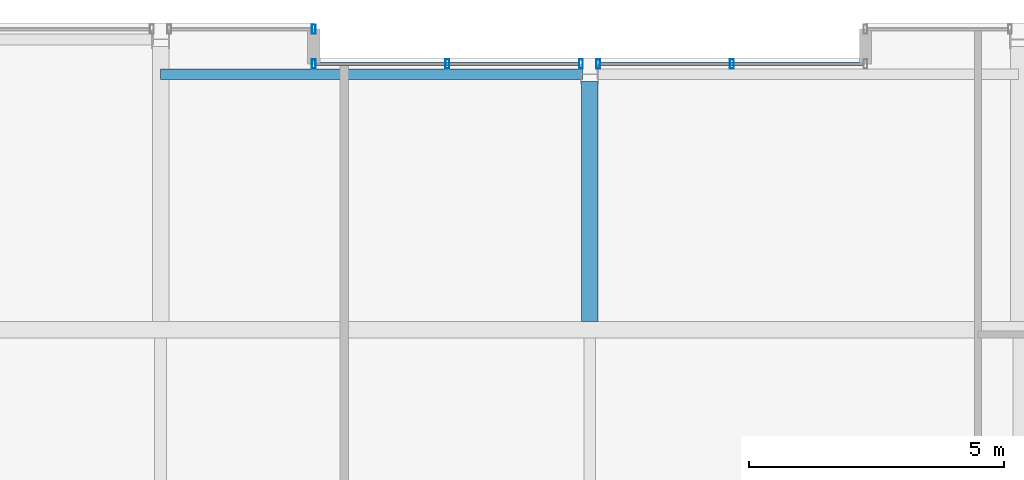
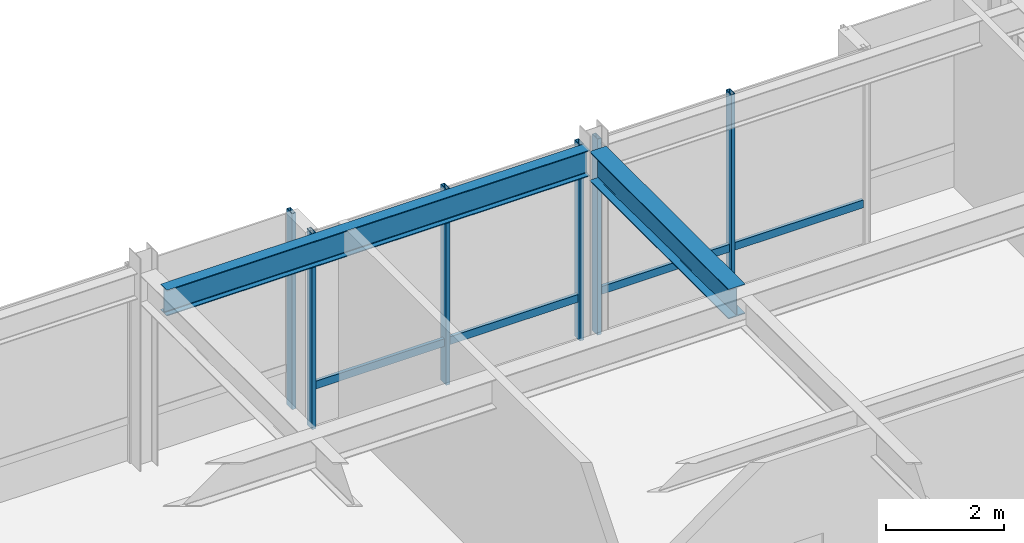
# One storey, part 24 of 33: 8 members, 2 beams, 3 elements without a shape of their own.
"""IFC4 building model written with IfcOpenShell, lengths in metres."""

from ifc_helpers import new_model, si_unit, direction, frame, origin, origin_2d, place, context, subcontext, project, spatial, hollow_rectangle, i_section, extrude, material, layer, layer_set, material_profile, profile_set, type_object, element, aggregate, save


model = new_model("IFC4")

# Units and contexts
model_context = context("Model", 3, precision=1e-05, world=origin(), true_north=direction((0.0, 1.0)))
body_context = subcontext(model_context, "Body", "Model", "MODEL_VIEW")
ifc_project = project(units=[si_unit("LENGTHUNIT", "METRE"), si_unit("AREAUNIT", "SQUARE_METRE"), si_unit("VOLUMEUNIT", "CUBIC_METRE"), si_unit("PLANEANGLEUNIT", "RADIAN"), si_unit("MASSUNIT", "GRAM", prefix="KILO")], contexts=[model_context])

# Site, building, storey
site_placement = place(None, origin())
site = spatial("IfcSite", under=ifc_project, at=site_placement, CompositionType="ELEMENT")
building_placement = place(site_placement, origin())
building = spatial("IfcBuilding", under=site, at=building_placement, Name="Drelvath Grand Hotel", CompositionType="ELEMENT")
storey_placement = place(building_placement, frame((0.0, 0.0, 298.60009765625)))
storey = spatial("IfcBuildingStorey", under=building, at=storey_placement, Name="L78", CompositionType="ELEMENT", Elevation=298.60009765625)

# Curtain wall, member
ifc_material_1 = material(Name="Platinum-Mist Anodised Aluminium Frame", Category="aluminium")
ifc_layer = layer(ifc_material_1, 0.199951171875)
ifc_layer_set = layer_set([ifc_layer], Name="Platinum-Mist Anodised Aluminium Frame")
curtain_wall_type = type_object("IfcCurtainWallType", Name="Stick Curtain Wall CW-05 Platinum Mist High-Rise", PredefinedType="NOTDEFINED", material=ifc_layer_set)
curtain_wall_1_placement = place(storey_placement, origin())
curtain_wall_1 = element("IfcCurtainWall", 1, at=curtain_wall_1_placement, inside=storey, type_object=curtain_wall_type, Name="L78 CW-05 Curtain Wall CW05-L78-NM1", PredefinedType="NOTDEFINED")
ifc_material_profile_1 = material_profile(ifc_material_1, hollow_rectangle(XDim=0.06494140625, YDim=0.159912109375, WallThickness=0.00390625, at=origin_2d()), Name="HSS160X65X4")
ifc_profile_set_1 = profile_set([ifc_material_profile_1], Name="Platinum-Mist Anodised Aluminium Frame")
member_type_1 = type_object("IfcMemberType", Name="Curtain Wall Horizontal Transom CW-05 HSS160X65X4", PredefinedType="USERDEFINED", material=ifc_profile_set_1)
member_1_placement = place(storey_placement, frame((-5.360107421875, 48.39990234375, 0.849853515625), z_axis=(1.0, 0.0, 0.0), x_axis=(0.0, 1.0, 0.0)))
member_1 = element("IfcMember", 2, at=member_1_placement, type_object=member_type_1, Name="CW05-L78-NM1 Sill Transom", ObjectType="TRANSOM", PredefinedType="USERDEFINED", context=body_context, shape_type="SweptSolid", body=[
    extrude(hollow_rectangle(XDim=0.06494140625, YDim=0.159912109375, WallThickness=0.00390625, at=origin_2d()), origin(), (0.0, 0.0, 1.0), 5.14990234375),
])

curtain_wall_2_placement = place(storey_placement, origin())
curtain_wall_2 = element("IfcCurtainWall", 3, at=curtain_wall_2_placement, inside=storey, type_object=curtain_wall_type, Name="L78 CW-05 Curtain Wall CW05-L78-NM2", PredefinedType="NOTDEFINED")
member_2_placement = place(storey_placement, frame((0.210205078125, 48.39990234375, 0.849853515625), z_axis=(1.0, 0.0, 0.0), x_axis=(0.0, 1.0, 0.0)))
member_2 = element("IfcMember", 4, at=member_2_placement, type_object=member_type_1, Name="CW05-L78-NM2 Sill Transom", ObjectType="TRANSOM", PredefinedType="USERDEFINED", context=body_context, shape_type="SweptSolid", body=[
    extrude(hollow_rectangle(XDim=0.06494140625, YDim=0.159912109375, WallThickness=0.00390625, at=origin_2d()), origin(), (0.0, 0.0, 1.0), 5.14990234375),
])

curtain_wall_3_placement = place(storey_placement, origin())
curtain_wall_3 = element("IfcCurtainWall", 5, at=curtain_wall_3_placement, inside=storey, type_object=curtain_wall_type, Name="L78 CW-05 Curtain Wall CW05-L78-NW2", PredefinedType="NOTDEFINED")
ifc_material_profile_2 = material_profile(ifc_material_1, hollow_rectangle(XDim=0.074951171875, YDim=0.179931640625, WallThickness=0.0048828125, at=origin_2d()), Name="HSS180X75X5")
ifc_profile_set_2 = profile_set([ifc_material_profile_2], Name="Platinum-Mist Anodised Aluminium Frame")
member_type_2 = type_object("IfcMemberType", Name="Curtain Wall Vertical Mullion CW-05 HSS180X75X5", PredefinedType="MULLION", material=ifc_profile_set_2)
member_3_placement = place(storey_placement, frame((-5.39990234375, 49.080078125, 0.0), z_axis=(0.0, 0.0, 1.0), x_axis=(1.0, 0.0, 0.0)))
member_3 = element("IfcMember", 6, at=member_3_placement, type_object=member_type_2, Name="CW05-L78-NW2 Mullion 2", PredefinedType="MULLION", context=body_context, shape_type="SweptSolid", body=[
    extrude(hollow_rectangle(XDim=0.074951171875, YDim=0.179931640625, WallThickness=0.0048828125, at=origin_2d()), origin(), (0.0, 0.0, 1.0), 4.0498046875),
])
aggregate(curtain_wall_3, [member_3])

# Member
member_4_placement = place(storey_placement, frame((-5.39990234375, 48.39990234375, 0.0), z_axis=(0.0, 0.0, 1.0), x_axis=(1.0, 0.0, 0.0)))
member_4 = element("IfcMember", 7, at=member_4_placement, type_object=member_type_2, Name="CW05-L78-NM1 Mullion 1", PredefinedType="MULLION", context=body_context, shape_type="SweptSolid", body=[
    extrude(hollow_rectangle(XDim=0.074951171875, YDim=0.179931640625, WallThickness=0.0048828125, at=origin_2d()), origin(), (0.0, 0.0, 1.0), 4.0498046875),
])

member_5_placement = place(storey_placement, frame((-2.78515625, 48.39990234375, 0.0), z_axis=(0.0, 0.0, 1.0), x_axis=(1.0, 0.0, 0.0)))
member_5 = element("IfcMember", 8, at=member_5_placement, type_object=member_type_2, Name="CW05-L78-NM1 Mullion 2", PredefinedType="MULLION", context=body_context, shape_type="SweptSolid", body=[
    extrude(hollow_rectangle(XDim=0.074951171875, YDim=0.179931640625, WallThickness=0.0048828125, at=origin_2d()), origin(), (0.0, 0.0, 1.0), 4.0498046875),
])

member_6_placement = place(storey_placement, frame((-0.170166015625, 48.39990234375, 0.0), z_axis=(0.0, 0.0, 1.0), x_axis=(1.0, 0.0, 0.0)))
member_6 = element("IfcMember", 9, at=member_6_placement, type_object=member_type_2, Name="CW05-L78-NM1 Mullion 3", PredefinedType="MULLION", context=body_context, shape_type="SweptSolid", body=[
    extrude(hollow_rectangle(XDim=0.074951171875, YDim=0.179931640625, WallThickness=0.0048828125, at=origin_2d()), origin(), (0.0, 0.0, 1.0), 4.0498046875),
])

aggregate(curtain_wall_1, [member_4, member_5, member_6, member_1])

member_7_placement = place(storey_placement, frame((0.170166015625, 48.39990234375, 0.0), z_axis=(0.0, 0.0, 1.0), x_axis=(1.0, 0.0, 0.0)))
member_7 = element("IfcMember", 10, at=member_7_placement, type_object=member_type_2, Name="CW05-L78-NM2 Mullion 1", PredefinedType="MULLION", context=body_context, shape_type="SweptSolid", body=[
    extrude(hollow_rectangle(XDim=0.074951171875, YDim=0.179931640625, WallThickness=0.0048828125, at=origin_2d()), origin(), (0.0, 0.0, 1.0), 4.0498046875),
])

member_8_placement = place(storey_placement, frame((2.78515625, 48.39990234375, 0.0), z_axis=(0.0, 0.0, 1.0), x_axis=(1.0, 0.0, 0.0)))
member_8 = element("IfcMember", 11, at=member_8_placement, type_object=member_type_2, Name="CW05-L78-NM2 Mullion 2", PredefinedType="MULLION", context=body_context, shape_type="SweptSolid", body=[
    extrude(hollow_rectangle(XDim=0.074951171875, YDim=0.179931640625, WallThickness=0.0048828125, at=origin_2d()), origin(), (0.0, 0.0, 1.0), 4.0498046875),
])

aggregate(curtain_wall_2, [member_7, member_8, member_2])

# Beams
ifc_material_2 = material(Name="Steel ASTM A992 Gr 50", Category="steel")
ifc_material_profile_3 = material_profile(ifc_material_2, i_section(OverallWidth=0.210205078125, OverallDepth=0.53662109375, WebThickness=0.010986328125, FlangeThickness=0.017333984375, FilletRadius=0.01806640625, at=origin_2d()), Name="W21X68")
ifc_profile_set_3 = profile_set([ifc_material_profile_3], Name="Steel ASTM A992 Gr 50")
beam_type_1 = type_object("IfcBeamType", Name="Perimeter Spandrel Beam W21X68", PredefinedType="SPANDREL", material=ifc_profile_set_3)
beam_1_placement = place(storey_placement, frame((-8.39990234375, 48.199951171875, 3.781494140625), z_axis=(1.0, 0.0, 0.0), x_axis=(0.0, 1.0, 0.0)))
element("IfcBeam", 12, at=beam_1_placement, inside=storey, type_object=beam_type_1, Name="L78 Spandrel North Mid W", PredefinedType="SPANDREL", context=body_context, shape_type="SweptSolid", body=[
    extrude(i_section(OverallWidth=0.210205078125, OverallDepth=0.53662109375, WebThickness=0.010986328125, FlangeThickness=0.017333984375, FilletRadius=0.01806640625, at=origin_2d()), origin(), (0.0, 0.0, 1.0), 8.260009765625),
])
ifc_material_profile_4 = material_profile(ifc_material_2, i_section(OverallWidth=0.323974609375, OverallDepth=0.611083984375, WebThickness=0.0126953125, FlangeThickness=0.01904296875, FilletRadius=0.02197265625, at=origin_2d()), Name="W24X104")
ifc_profile_set_4 = profile_set([ifc_material_profile_4], Name="Steel ASTM A992 Gr 50")
beam_type_2 = type_object("IfcBeamType", Name="Primary Floor Girder W24X104", PredefinedType="BEAM", material=ifc_profile_set_4)
beam_2_placement = place(storey_placement, frame((0.0, 43.362060546875, 3.744384765625), z_axis=(0.0, 1.0, 0.0), x_axis=(-1.0, 0.0, 0.0)))
element("IfcBeam", 13, at=beam_2_placement, inside=storey, type_object=beam_type_2, Name="L78 North Wing Girder 5", PredefinedType="BEAM", context=body_context, shape_type="SweptSolid", body=[
    extrude(i_section(OverallWidth=0.323974609375, OverallDepth=0.611083984375, WebThickness=0.0126953125, FlangeThickness=0.01904296875, FilletRadius=0.02197265625, at=origin_2d()), origin(), (0.0, 0.0, 1.0), 4.697998046875),
])

save(model, "model.ifc")
